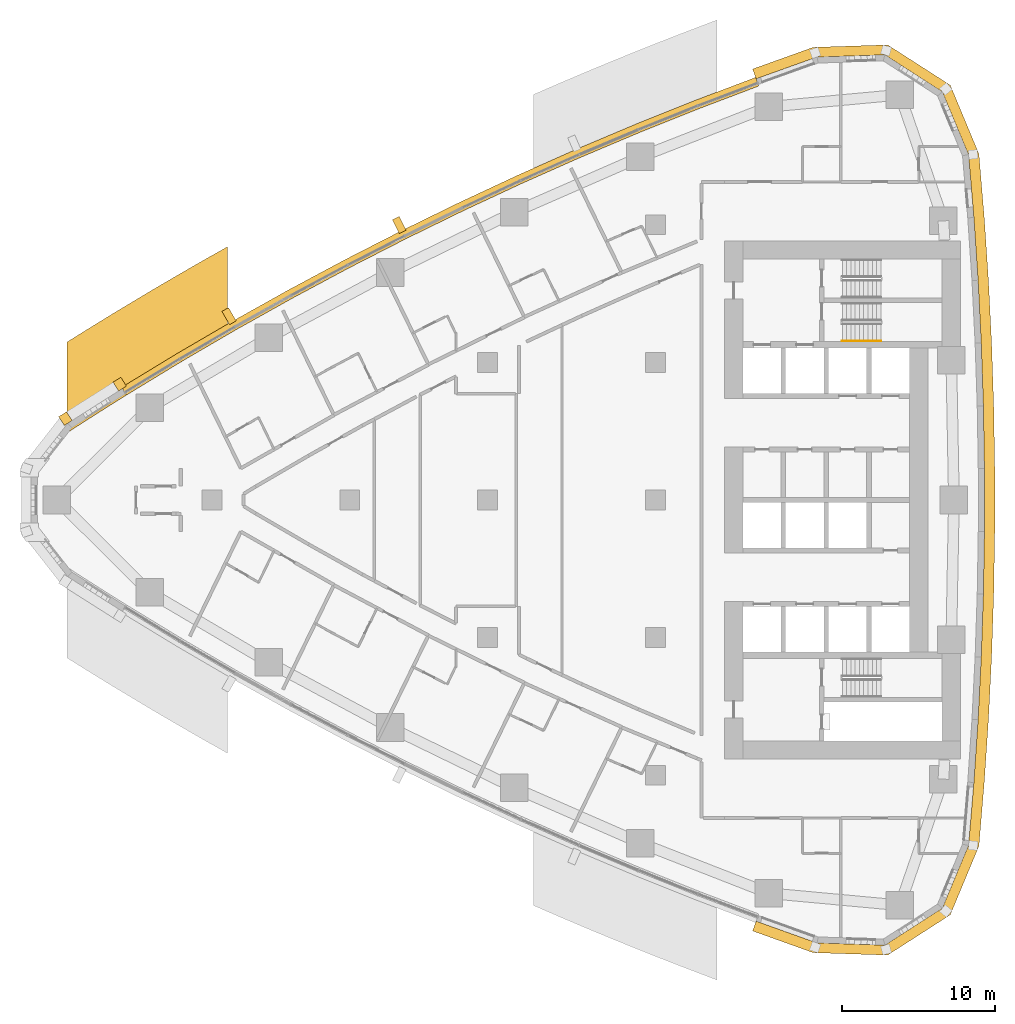
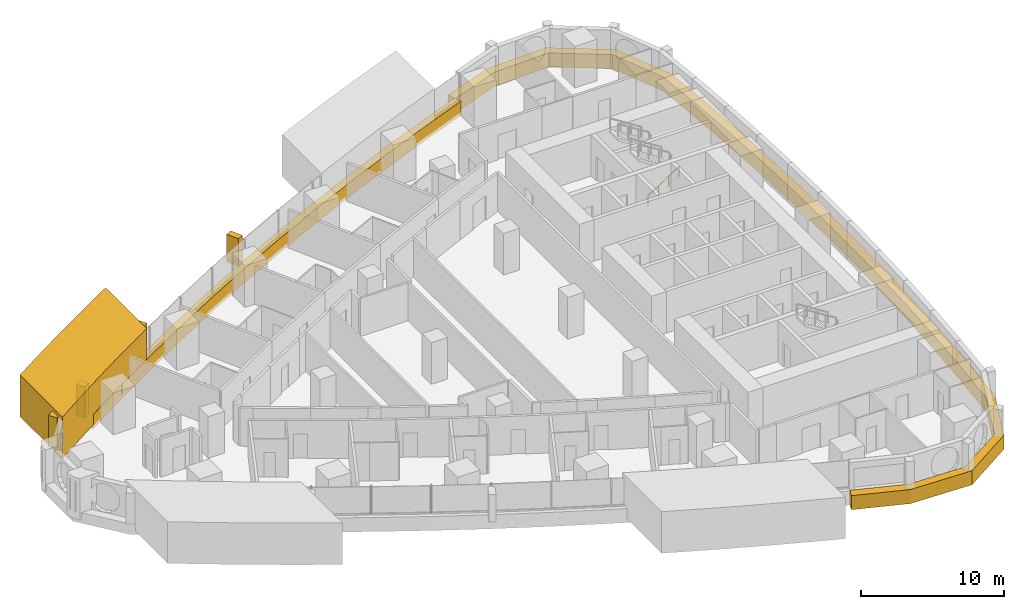
# One storey, part 17 of 19: 7 coverings, 1 railing.
"""IFC4 building model written with IfcOpenShell, lengths in metres."""

import ifcopenshell
import ifcopenshell.guid

model = None  # the IFC model being written
_history = None  # IfcOwnerHistory: only IFC2X3 demands one
_inside = {}  # id of a spatial element -> (the spatial element, [elements in it])
_under = {}  # id of a project, library or spatial element -> (it, [spatial elements below it])
_declared = {}  # id of a project -> (the project, [libraries it declares])
_typed = {}  # id of a type object -> (the type object, [elements of that type])
_made_of = {}  # id of a material, layer set ... -> (it, [elements and type objects made of it])


def new_model(schema):
    """Start an empty IFC model of exactly this schema.

    Asked for "IFC4X3", IfcOpenShell would pick the latest addendum, in which some entities
    have other attributes; the version numbers below select the first issue.
    IFC2X3 requires an IfcOwnerHistory on every rooted entity: one is made here for all.
    """
    global model, _history
    if schema == "IFC4X3":
        model = ifcopenshell.file(schema_version=(4, 3, 0, 0))
    else:
        model = ifcopenshell.file(schema=schema)
    _inside.clear()
    _under.clear()
    _declared.clear()
    _typed.clear()
    _made_of.clear()
    _history = None
    if model.schema == "IFC2X3":
        org = make("IfcOrganization", Name="unknown")
        user = make(
            "IfcPersonAndOrganization",
            ThePerson=make("IfcPerson", FamilyName="unknown"),
            TheOrganization=org,
        )
        app = make(
            "IfcApplication",
            ApplicationDeveloper=org,
            Version="unknown",
            ApplicationFullName="unknown",
            ApplicationIdentifier="unknown",
        )
        _history = make(
            "IfcOwnerHistory",
            OwningUser=user,
            OwningApplication=app,
            ChangeAction="ADDED",
            CreationDate=0,
        )
    return model


def make(cls, **values):
    """One entity of the class cls with the attributes given. An attribute that is None is left unset."""
    return model.create_entity(
        cls, **{name: value for name, value in values.items() if value is not None}
    )


def rooted(cls, **values):
    """An entity with a GlobalId (a new one), such as an element, a storey or a relation."""
    return make(cls, GlobalId=ifcopenshell.guid.new(), OwnerHistory=_history, **values)


def si_unit(unit_type, name, prefix=None):
    """IfcSIUnit, for example si_unit("LENGTHUNIT", "METRE", prefix="MILLI")."""
    return make("IfcSIUnit", UnitType=unit_type, Prefix=prefix, Name=name)


def assignment(units):
    """IfcUnitAssignment: the units of a project."""
    return None if units is None else make("IfcUnitAssignment", Units=units)


def point(xyz):
    """IfcCartesianPoint."""
    return None if xyz is None else make("IfcCartesianPoint", Coordinates=xyz)


def direction(xyz):
    """IfcDirection."""
    return None if xyz is None else make("IfcDirection", DirectionRatios=xyz)


def frame(location, z_axis=None, x_axis=None):
    """IfcAxis2Placement3D, a coordinate frame: its origin and axes. An axis left out is left unset."""
    return make(
        "IfcAxis2Placement3D",
        Location=point(location),
        Axis=direction(z_axis),
        RefDirection=direction(x_axis),
    )


def frame_2d(location, x_axis=None):
    """IfcAxis2Placement2D, a coordinate frame in the plane: its origin and x axis."""
    return make(
        "IfcAxis2Placement2D", Location=point(location), RefDirection=direction(x_axis)
    )


def origin():
    """The frame at (0, 0, 0) with its axes left unset."""
    return frame((0.0, 0.0, 0.0))


def origin_2d():
    """The frame at (0, 0) in the plane with its x axis left unset."""
    return frame_2d((0.0, 0.0))


def place(relative_to, where):
    """IfcLocalPlacement: puts the frame where relative to a parent placement (None: the world)."""
    return make(
        "IfcLocalPlacement", PlacementRelTo=relative_to, RelativePlacement=where
    )


def context(
    kind, dimensions, precision=None, world=None, true_north=None, identifier=None
):
    """IfcGeometricRepresentationContext, for example the 3D "Model" context."""
    return make(
        "IfcGeometricRepresentationContext",
        ContextIdentifier=identifier,
        ContextType=kind,
        CoordinateSpaceDimension=dimensions,
        Precision=precision,
        WorldCoordinateSystem=world,
        TrueNorth=true_north,
    )


def subcontext(parent, identifier, kind, view, scale=None):
    """IfcGeometricRepresentationSubContext, for example "Body" below "Model"."""
    return make(
        "IfcGeometricRepresentationSubContext",
        ContextIdentifier=identifier,
        ContextType=kind,
        ParentContext=parent,
        TargetScale=scale,
        TargetView=view,
    )


def project(units=None, contexts=None):
    """IfcProject with its units and contexts."""
    return rooted(
        "IfcProject",
        Name="project",
        RepresentationContexts=contexts,
        UnitsInContext=assignment(units),
    )


def spatial(cls, under=None, at=None, **own):
    """A site, building, storey or space (cls), placed at a placement, below another one or the project."""
    s = rooted(cls, ObjectPlacement=at, **own)
    if under is not None:
        _under.setdefault(under.id(), (under, []))[1].append(s)
    return s


def polyline(points):
    """IfcPolyline through the points."""
    return make("IfcPolyline", Points=[point(p) for p in points])


def profile(cls, at=None, kind="AREA", **sizes):
    """A parametric profile (cls). Its sizes go by their IFC names, for example OverallWidth=200.0."""
    return make(cls, ProfileType=kind, Position=at, **sizes)


def rectangle(**sizes):
    """IfcRectangleProfileDef."""
    return profile("IfcRectangleProfileDef", **sizes)


def circle(**sizes):
    """IfcCircleProfileDef."""
    return profile("IfcCircleProfileDef", **sizes)


def outline(outer, holes=None, kind="AREA"):
    """IfcArbitraryClosedProfileDef: a profile drawn as a closed curve; with holes, ...WithVoids."""
    if holes is None:
        return make("IfcArbitraryClosedProfileDef", ProfileType=kind, OuterCurve=outer)
    return make(
        "IfcArbitraryProfileDefWithVoids",
        ProfileType=kind,
        OuterCurve=outer,
        InnerCurves=holes,
    )


def extrude(swept, where, along, depth):
    """IfcExtrudedAreaSolid: the profile swept, set in the frame where, extruded along a direction by depth."""
    return make(
        "IfcExtrudedAreaSolid",
        SweptArea=swept,
        Position=where,
        ExtrudedDirection=direction(along),
        Depth=depth,
    )


def shape(context_of_items, identifier, shape_type, items):
    """IfcShapeRepresentation: the items that make up one representation, for example the "Body"."""
    return make(
        "IfcShapeRepresentation",
        ContextOfItems=context_of_items,
        RepresentationIdentifier=identifier,
        RepresentationType=shape_type,
        Items=items,
    )


def material(Name=None, Category=None):
    """IfcMaterial."""
    return make("IfcMaterial", Name=Name, Category=Category)


def layer(
    of_material, thickness, ventilated=None, Name=None, Category=None, Priority=None
):
    """IfcMaterialLayer: one layer of a wall or slab, of a material (None: an air gap)."""
    return make(
        "IfcMaterialLayer",
        Material=of_material,
        LayerThickness=thickness,
        IsVentilated=ventilated,
        Name=Name,
        Category=Category,
        Priority=Priority,
    )


def layer_set(layers, Name=None):
    """IfcMaterialLayerSet."""
    return make("IfcMaterialLayerSet", MaterialLayers=layers, LayerSetName=Name)


def made_of(thing, what):
    """Note that an element or type object is made of a material, layer set ...; save() writes the relation."""
    if what is not None:
        _made_of.setdefault(what.id(), (what, []))[1].append(thing)
    return thing


def type_object(cls, material=None, **own):
    """A type object (cls), such as IfcWallType, which elements share."""
    return made_of(rooted(cls, **own), material)


def element(
    cls,
    number,
    at=None,
    inside=None,
    cuts=None,
    type_object=None,
    material=None,
    context=None,
    identifier="Body",
    shape_type=None,
    held_by="IfcProductDefinitionShape",
    body=None,
    shapes=None,
    **own,
):
    """One element of the class cls, such as IfcWall. Its Tag is "e" and its number.

    at: its placement. inside: the storey or other place that contains it. cuts: it is an
    opening in that element (IfcRelVoidsElement). A single representation is given by context,
    identifier, shape_type and body (its items); several are given by shapes. held_by: the class
    of the entity that holds the representations. save() writes the other relations.
    """
    e = rooted(cls, Tag="e%d" % number, ObjectPlacement=at, **own)
    if body is not None:
        shapes = [shape(context, identifier, shape_type, body)]
    if shapes is not None:
        e.Representation = make(held_by, Representations=shapes)
    if inside is not None:
        _inside.setdefault(inside.id(), (inside, []))[1].append(e)
    if cuts is not None:
        rooted(
            "IfcRelVoidsElement", RelatingBuildingElement=cuts, RelatedOpeningElement=e
        )
    if type_object is not None:
        _typed.setdefault(type_object.id(), (type_object, []))[1].append(e)
    return made_of(e, material)


def aggregate(whole, parts):
    """IfcRelAggregates: a whole, such as a stair, and the parts it consists of."""
    return rooted("IfcRelAggregates", RelatingObject=whole, RelatedObjects=parts)


def save(model, path):
    """Write the relations noted so far, then the file.

    IfcRelAggregates (storeys below a building ...), IfcRelContainedInSpatialStructure (elements
    in a storey), IfcRelDefinesByType, IfcRelAssociatesMaterial and IfcRelDeclares: one each for
    every whole, place, type object, material and project.
    """
    for whole, parts in _under.values():
        aggregate(whole, parts)
    for where, things in _inside.values():
        rooted(
            "IfcRelContainedInSpatialStructure",
            RelatedElements=things,
            RelatingStructure=where,
        )
    for kind, things in _typed.values():
        rooted("IfcRelDefinesByType", RelatedObjects=things, RelatingType=kind)
    for what, things in _made_of.values():
        rooted("IfcRelAssociatesMaterial", RelatedObjects=things, RelatingMaterial=what)
    for by, libraries in _declared.values():
        rooted("IfcRelDeclares", RelatingContext=by, RelatedDefinitions=libraries)
    model.write(path)


model = new_model("IFC4")

# Units and contexts
model_context = context("Model", 3, precision=1e-05, world=origin(), true_north=direction((0.0, 1.0)))
body_context = subcontext(model_context, "Body", "Model", "MODEL_VIEW")
ifc_project = project(units=[si_unit("LENGTHUNIT", "METRE"), si_unit("AREAUNIT", "SQUARE_METRE"), si_unit("VOLUMEUNIT", "CUBIC_METRE"), si_unit("PLANEANGLEUNIT", "RADIAN"), si_unit("MASSUNIT", "GRAM", prefix="KILO")], contexts=[model_context])

# Site, building, storey
site_placement = place(None, origin())
site = spatial("IfcSite", under=ifc_project, at=site_placement, CompositionType="ELEMENT")
building_placement = place(site_placement, origin())
building = spatial("IfcBuilding", under=site, at=building_placement, Name="Ostrand Prow Hotel Tower", CompositionType="ELEMENT")
storey_placement = place(building_placement, frame((0.0, 0.0, 68.0)))
storey = spatial("IfcBuildingStorey", under=building, at=storey_placement, Name="L15", CompositionType="ELEMENT", Elevation=68.0)

# Coverings
ifc_material_1 = material(Name="Bronze anodised aluminium cladding", Category="aluminium")
ifc_layer_1 = layer(ifc_material_1, 0.60009765625)
ifc_layer_set_1 = layer_set([ifc_layer_1], Name="Bronze anodised aluminium cladding")
covering_type_1 = type_object("IfcCoveringType", Name="Bronze spandrel band 1200x600", PredefinedType="CLADDING", material=ifc_layer_set_1)
covering_1_placement = place(storey_placement, frame((0.0, 0.0, -0.300048828125)))
element("IfcCovering", 1, at=covering_1_placement, inside=storey, type_object=covering_type_1, Name="Spandrel band N1", PredefinedType="CLADDING", context=body_context, shape_type="SweptSolid", body=[
    extrude(outline(polyline([(51.5361328125, 27.6328125), (47.607666015625, 26.142578125), (43.70751953125, 24.580078125), (39.83642578125, 22.946044921875), (35.996337890625, 21.2412109375), (32.188232421875, 19.4658203125), (28.413330078125, 17.62060546875), (24.673095703125, 15.70654296875), (20.968994140625, 13.723876953125), (17.301513671875, 11.673095703125), (13.672607421875, 9.555419921875), (10.08349609375, 7.371337890625), (10.39990234375, 6.86181640625), (13.97998046875, 9.0400390625), (17.59912109375, 11.152099609375), (21.2568359375, 13.197509765625), (24.951416015625, 15.1748046875), (28.681884765625, 17.083984375), (32.44677734375, 18.92431640625), (36.244873046875, 20.695068359375), (40.074951171875, 22.3955078125), (43.935791015625, 24.025146484375), (47.82568359375, 25.58349609375), (51.743896484375, 27.070068359375), (51.5361328125, 27.6328125)])), origin(), (0.0, 0.0, 1.0), 1.199951171875),
])
covering_2_placement = place(storey_placement, frame((0.0, 0.0, -0.300048828125)))
element("IfcCovering", 2, at=covering_2_placement, inside=storey, type_object=covering_type_1, Name="Spandrel band back 1", PredefinedType="CLADDING", context=body_context, shape_type="SweptSolid", body=[
    extrude(outline(polyline([(51.335205078125, -28.177001953125), (55.300537109375, -29.5986328125), (60.16796875, -29.758056640625), (64.26318359375, -27.123046875), (66.13525390625, -22.627197265625), (66.48046875, -18.521728515625), (66.756591796875, -14.411376953125), (66.964111328125, -10.296630859375), (67.102294921875, -6.17919921875), (67.17138671875, -2.059814453125), (67.17138671875, 2.059814453125), (67.102294921875, 6.17919921875), (66.964111328125, 10.296630859375), (66.756591796875, 14.411376953125), (66.48046875, 18.521728515625), (66.13525390625, 22.627197265625), (64.26318359375, 27.123046875), (60.16796875, 29.758056640625), (55.300537109375, 29.5986328125), (51.335205078125, 28.177001953125), (51.57080078125, 27.5390625), (55.524169921875, 28.956298828125), (59.98681640625, 29.1025390625), (63.74169921875, 26.6865234375), (65.4580078125, 22.564453125), (65.802490234375, 18.470458984375), (66.077880859375, 14.371337890625), (66.28466796875, 10.26806640625), (66.422607421875, 6.162109375), (66.491455078125, 2.05419921875), (66.491455078125, -2.05419921875), (66.422607421875, -6.162109375), (66.28466796875, -10.26806640625), (66.077880859375, -14.371337890625), (65.802490234375, -18.470458984375), (65.4580078125, -22.564453125), (63.74169921875, -26.6865234375), (59.98681640625, -29.1025390625), (55.524169921875, -28.956298828125), (51.57080078125, -27.5390625), (51.335205078125, -28.177001953125)])), origin(), (0.0, 0.0, 1.0), 1.199951171875),
])
ifc_material_2 = material(Name="Limestone cladding", Category="masonry")
ifc_layer_2 = layer(ifc_material_2, 5.0)
ifc_layer_set_2 = layer_set([ifc_layer_2], Name="Limestone cladding")
covering_type_2 = type_object("IfcCoveringType", Name="Portal jamb pilaster limestone", PredefinedType="CLADDING", material=ifc_layer_set_2)
covering_3_placement = place(storey_placement, origin())
element("IfcCovering", 3, at=covering_3_placement, inside=storey, type_object=covering_type_2, Name="Portal jamb NA L15", PredefinedType="CLADDING", context=body_context, shape_type="SweptSolid", body=[
    extrude(outline(polyline([(6.5, 4.3837890625), (7.45458984375, 5.00048828125), (8.4091796875, 5.610595703125), (9.363525390625, 6.214111328125), (10.318115234375, 6.810791015625), (11.272705078125, 7.401123046875), (12.227294921875, 7.98486328125), (13.181884765625, 8.562255859375), (14.136474609375, 9.13330078125), (15.0908203125, 9.697998046875), (16.04541015625, 10.25634765625), (17.0, 10.80859375), (17.0, 16.556640625), (16.04541015625, 16.020263671875), (15.0908203125, 15.4775390625), (14.136474609375, 14.92919921875), (13.181884765625, 14.37451171875), (12.227294921875, 13.81396484375), (11.272705078125, 13.247314453125), (10.318115234375, 12.67431640625), (9.363525390625, 12.09521484375), (8.4091796875, 11.509521484375), (7.45458984375, 10.917724609375), (6.5, 10.319580078125), (6.5, 4.3837890625)])), origin(), (0.0, 0.0, 1.0), 3.550048828125),
])
ifc_material_3 = material(Name="Limestone cladding", Category="masonry")
ifc_layer_3 = layer(ifc_material_3, 0.5)
ifc_layer_set_3 = layer_set([ifc_layer_3], Name="Limestone cladding")
covering_type_3 = type_object("IfcCoveringType", Name="Precast stone fin 500x900", PredefinedType="CLADDING", material=ifc_layer_set_3)
for number, where, z_axis, x_axis, name in (
    (4, (28.458251953125, 17.53125, 0.89990234375), (0.0, 0.0, 1.0), (-0.447506538147, 0.894280659701, 0.0), "Stone fin N 7"),
    (5, (17.351318359375, 11.58642578125, 0.89990234375), (0.0, 0.0, 1.0), (-0.496138938357, 0.868243142124, 0.0), "Stone fin N 10"),
):
    element("IfcCovering", number, at=place(storey_placement, frame(where, z_axis=z_axis, x_axis=x_axis)), inside=storey, type_object=covering_type_3, Name=name, PredefinedType="CLADDING", context=body_context, shape_type="SweptSolid", body=[
        extrude(rectangle(XDim=1.0, YDim=0.5, at=frame_2d((0.5, 0.0))), origin(), (0.0, 0.0, 1.0), 2.35009765625),
    ])
ifc_material_4 = material(Name="Limestone cladding", Category="masonry")
ifc_layer_4 = layer(ifc_material_4, 0.60009765625)
ifc_layer_set_4 = layer_set([ifc_layer_4], Name="Limestone cladding")
covering_type_4 = type_object("IfcCoveringType", Name="Precast stone prow rib 600x600", PredefinedType="CLADDING", material=ifc_layer_set_4)
for number, where, z_axis, x_axis, name in (
    (6, (10.13623046875, 7.286376953125, 0.60009765625), (0.0, 0.0, 1.0), (-0.527738148304, 0.849407114889, 0.0), "Stone prow rib 1"),
    (7, (6.589111328125, 5.03759765625, 0.60009765625), (0.0, 0.0, 1.0), (-0.543295944087, 0.839541253983, 0.0), "Stone prow rib 2"),
):
    element("IfcCovering", number, at=place(storey_placement, frame(where, z_axis=z_axis, x_axis=x_axis)), inside=storey, type_object=covering_type_4, Name=name, PredefinedType="CLADDING", context=body_context, shape_type="SweptSolid", body=[
        extrude(rectangle(XDim=0.679931640625, YDim=0.60009765625, at=frame_2d((0.33984375, 0.0))), origin(), (0.0, 0.0, 1.0), 2.64990234375),
    ])

# Railing
ifc_material_5 = material(Name="Stainless steel", Category="steel")
railing_type = type_object("IfcRailingType", Name="Stair handrail 900", PredefinedType="HANDRAIL", material=ifc_material_5)
railing_placement = place(storey_placement, frame((57.199951171875, 10.39990234375, 0.177490234375)))
element("IfcRailing", 8, at=railing_placement, inside=storey, type_object=railing_type, Name="L15 ST1C stair handrail 1", PredefinedType="HANDRAIL", context=body_context, shape_type="SweptSolid", body=[
    extrude(circle(Radius=0.02392578125, at=origin_2d()), frame((0.0, 0.0, 0.8759765625), z_axis=(0.84460694969, 0.0, 0.535386869969), x_axis=(0.0, 1.0, 0.0)), (0.0, 0.0, 1.0), 2.983642578125),
    extrude(circle(Radius=0.02099609375, at=origin_2d()), origin(), (0.0, 0.0, 1.0), 0.851806640625),
    extrude(circle(Radius=0.02099609375, at=origin_2d()), frame((0.840087890625, 0.0, 0.532470703125)), (0.0, 0.0, 1.0), 0.851806640625),
    extrude(circle(Radius=0.02099609375, at=origin_2d()), frame((1.679931640625, 0.0, 1.06494140625)), (0.0, 0.0, 1.0), 0.851806640625),
    extrude(circle(Radius=0.02099609375, at=origin_2d()), frame((2.52001953125, 0.0, 1.597412109375)), (0.0, 0.0, 1.0), 0.851806640625),
])

save(model, "model.ifc")
